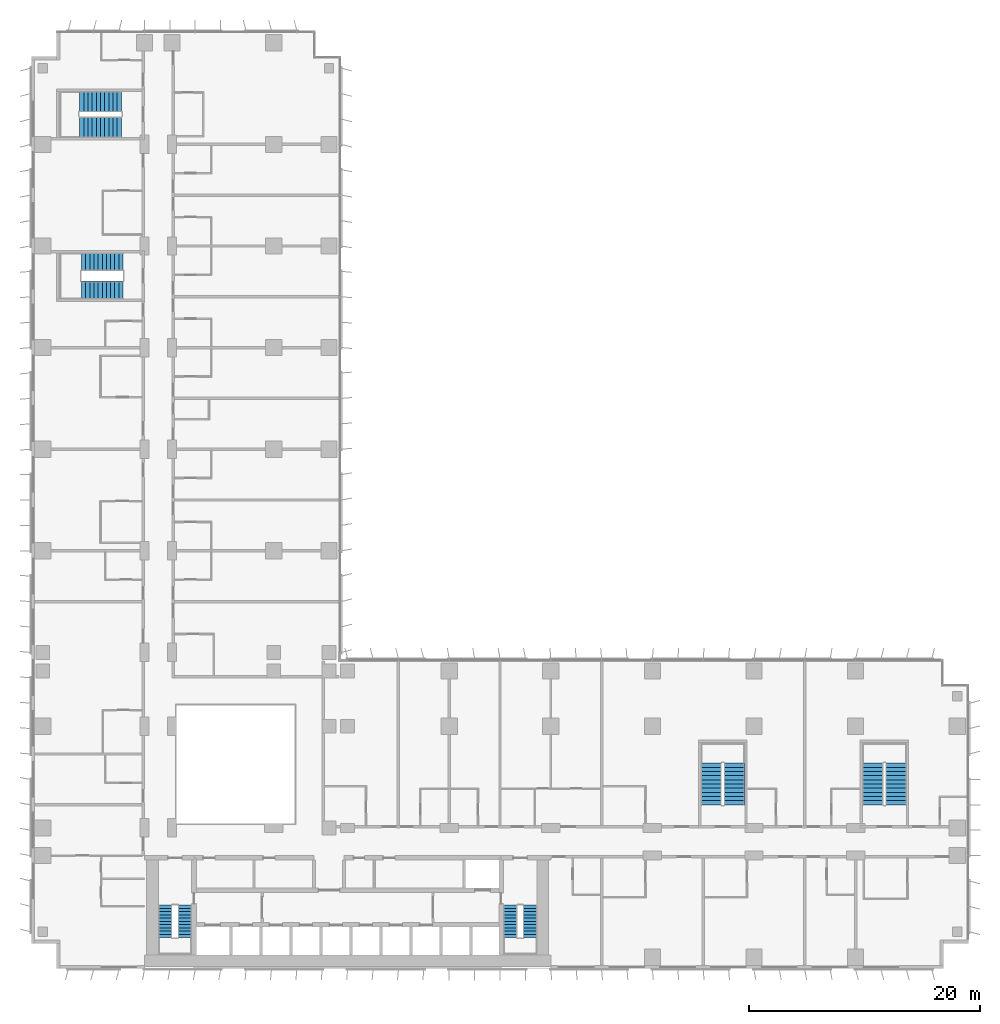
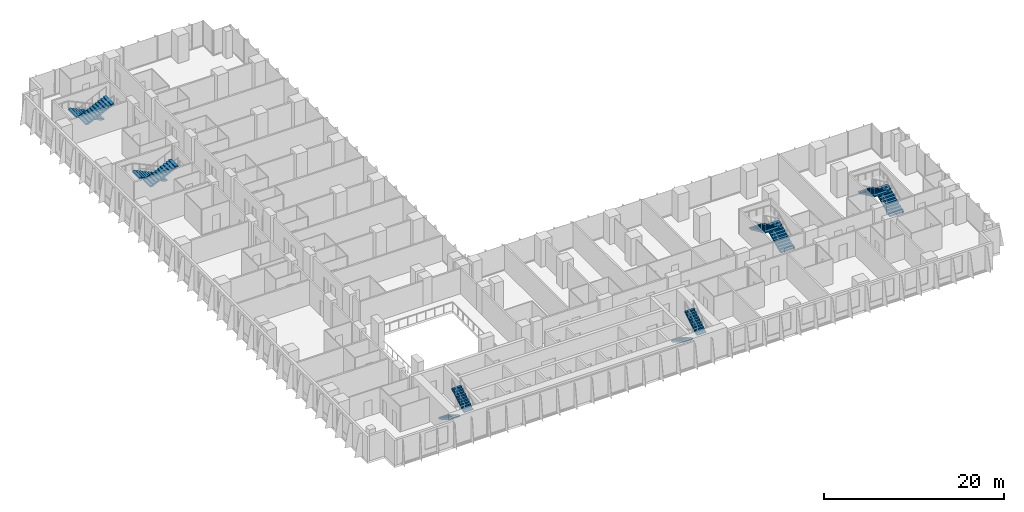
# One storey, part 20 of 24: 12 stair flights, 6 elements without a shape of their own.
"""IFC4 building model written with IfcOpenShell, lengths in metres."""

from ifc_helpers import new_model, si_unit, direction, frame, origin, place, context, subcontext, project, spatial, polyline, outline, extrude, material, type_object, element, aggregate, save


model = new_model("IFC4")

# Units and contexts
model_context = context("Model", 3, precision=1e-05, world=origin(), true_north=direction((0.0, 1.0)))
body_context = subcontext(model_context, "Body", "Model", "MODEL_VIEW")
ifc_project = project(units=[si_unit("LENGTHUNIT", "METRE"), si_unit("AREAUNIT", "SQUARE_METRE"), si_unit("VOLUMEUNIT", "CUBIC_METRE"), si_unit("PLANEANGLEUNIT", "RADIAN"), si_unit("MASSUNIT", "GRAM", prefix="KILO")], contexts=[model_context])

# Site, building, storey
site_placement = place(None, origin())
site = spatial("IfcSite", under=ifc_project, at=site_placement, CompositionType="ELEMENT")
building_placement = place(site_placement, origin())
building = spatial("IfcBuilding", under=site, at=building_placement, Name="Kemantara Hotel Tower", CompositionType="ELEMENT")
storey_placement = place(building_placement, frame((0.0, 0.0, 59.89990234375)))
storey = spatial("IfcBuildingStorey", under=building, at=storey_placement, Name="L13", CompositionType="ELEMENT", Elevation=59.89990234375)

# Stair, stair flights
ifc_material = material(Name="Concrete fc 40 MPa", Category="concrete")
stair_type_1 = type_object("IfcStairType", Name="Stair 1200 wide 22 risers of 168 x 280 mm", PredefinedType="HALF_TURN_STAIR", material=ifc_material)
stair_1_placement = place(storey_placement, origin())
stair_1 = element("IfcStair", 1, at=stair_1_placement, inside=storey, type_object=stair_type_1, Name="L13 Exit stair ST1", PredefinedType="HALF_TURN_STAIR")
stair_flight_type_1 = type_object("IfcStairFlightType", Name="Stair flight 1200 wide 168 x 280 mm", PredefinedType="STRAIGHT", material=ifc_material)
stair_flight_1_placement = place(storey_placement, frame((11.60009765625, 5.5, 0.0), z_axis=(0.0, 0.0, 1.0), x_axis=(0.0, -1.0, 0.0)))
stair_flight_1 = element("IfcStairFlight", 2, at=stair_flight_1_placement, type_object=stair_flight_type_1, Name="ST1 flight 1", NumberOfRisers=11, NumberOfTreads=10, PredefinedType="STRAIGHT", RiserHeight=0.168181818, TreadLength=0.28, context=body_context, shape_type="SweptSolid", body=[
    extrude(outline(polyline([(0.0, 0.0), (0.0, 0.168212890625), (0.280029296875, 0.168212890625), (0.280029296875, 0.33642578125), (0.56005859375, 0.33642578125), (0.56005859375, 0.504638671875), (0.840087890625, 0.504638671875), (0.840087890625, 0.672607421875), (1.1201171875, 0.672607421875), (1.1201171875, 0.8408203125), (1.39990234375, 0.8408203125), (1.39990234375, 1.009033203125), (1.679931640625, 1.009033203125), (1.679931640625, 1.17724609375), (1.9599609375, 1.17724609375), (1.9599609375, 1.345458984375), (2.239990234375, 1.345458984375), (2.239990234375, 1.513671875), (2.52001953125, 1.513671875), (2.52001953125, 1.681884765625), (2.800048828125, 1.681884765625), (2.800048828125, 1.85009765625), (2.800048828125, 1.5068359375), (0.291015625, 0.0), (0.0, 0.0)])), frame((0.0, 0.60009765625, 0.0), z_axis=(0.0, -1.0, 0.0), x_axis=(1.0, 0.0, 0.0)), (0.0, 0.0, 1.0), 1.199951171875),
])
stair_flight_2_placement = place(storey_placement, frame((13.300048828125, 2.699951171875, 1.85009765625), z_axis=(0.0, 0.0, 1.0), x_axis=(0.0, 1.0, 0.0)))
stair_flight_2 = element("IfcStairFlight", 3, at=stair_flight_2_placement, type_object=stair_flight_type_1, Name="ST1 flight 2", NumberOfRisers=11, NumberOfTreads=10, PredefinedType="STRAIGHT", RiserHeight=0.168181818, TreadLength=0.28, context=body_context, shape_type="SweptSolid", body=[
    extrude(outline(polyline([(0.0, 0.0), (0.0, 0.168212890625), (0.280029296875, 0.168212890625), (0.280029296875, 0.33642578125), (0.56005859375, 0.33642578125), (0.56005859375, 0.504638671875), (0.840087890625, 0.504638671875), (0.840087890625, 0.672607421875), (1.1201171875, 0.672607421875), (1.1201171875, 0.8408203125), (1.39990234375, 0.8408203125), (1.39990234375, 1.009033203125), (1.679931640625, 1.009033203125), (1.679931640625, 1.17724609375), (1.9599609375, 1.17724609375), (1.9599609375, 1.345458984375), (2.239990234375, 1.345458984375), (2.239990234375, 1.513671875), (2.52001953125, 1.513671875), (2.52001953125, 1.681884765625), (2.800048828125, 1.681884765625), (2.800048828125, 1.85009765625), (2.800048828125, 1.5068359375), (0.291015625, 0.0), (0.0, 0.0)])), frame((0.0, 0.60009765625, 0.0), z_axis=(0.0, -1.0, 0.0), x_axis=(1.0, 0.0, 0.0)), (0.0, 0.0, 1.0), 1.199951171875),
])
aggregate(stair_1, [stair_flight_1, stair_flight_2])

stair_2_placement = place(storey_placement, origin())
stair_2 = element("IfcStair", 4, at=stair_2_placement, inside=storey, type_object=stair_type_1, Name="L13 Exit stair ST2", PredefinedType="HALF_TURN_STAIR")
stair_flight_3_placement = place(storey_placement, frame((41.5, 5.5, 0.0), z_axis=(0.0, 0.0, 1.0), x_axis=(0.0, -1.0, 0.0)))
stair_flight_3 = element("IfcStairFlight", 5, at=stair_flight_3_placement, type_object=stair_flight_type_1, Name="ST2 flight 1", NumberOfRisers=11, NumberOfTreads=10, PredefinedType="STRAIGHT", RiserHeight=0.168181818, TreadLength=0.28, context=body_context, shape_type="SweptSolid", body=[
    extrude(outline(polyline([(0.0, 0.0), (0.0, 0.168212890625), (0.280029296875, 0.168212890625), (0.280029296875, 0.33642578125), (0.56005859375, 0.33642578125), (0.56005859375, 0.504638671875), (0.840087890625, 0.504638671875), (0.840087890625, 0.672607421875), (1.1201171875, 0.672607421875), (1.1201171875, 0.8408203125), (1.39990234375, 0.8408203125), (1.39990234375, 1.009033203125), (1.679931640625, 1.009033203125), (1.679931640625, 1.17724609375), (1.9599609375, 1.17724609375), (1.9599609375, 1.345458984375), (2.239990234375, 1.345458984375), (2.239990234375, 1.513671875), (2.52001953125, 1.513671875), (2.52001953125, 1.681884765625), (2.800048828125, 1.681884765625), (2.800048828125, 1.85009765625), (2.800048828125, 1.5068359375), (0.291015625, 0.0), (0.0, 0.0)])), frame((0.0, 0.60009765625, 0.0), z_axis=(0.0, -1.0, 0.0), x_axis=(1.0, 0.0, 0.0)), (0.0, 0.0, 1.0), 1.199951171875),
])
stair_flight_4_placement = place(storey_placement, frame((43.199951171875, 2.699951171875, 1.85009765625), z_axis=(0.0, 0.0, 1.0), x_axis=(0.0, 1.0, 0.0)))
stair_flight_4 = element("IfcStairFlight", 6, at=stair_flight_4_placement, type_object=stair_flight_type_1, Name="ST2 flight 2", NumberOfRisers=11, NumberOfTreads=10, PredefinedType="STRAIGHT", RiserHeight=0.168181818, TreadLength=0.28, context=body_context, shape_type="SweptSolid", body=[
    extrude(outline(polyline([(0.0, 0.0), (0.0, 0.168212890625), (0.280029296875, 0.168212890625), (0.280029296875, 0.33642578125), (0.56005859375, 0.33642578125), (0.56005859375, 0.504638671875), (0.840087890625, 0.504638671875), (0.840087890625, 0.672607421875), (1.1201171875, 0.672607421875), (1.1201171875, 0.8408203125), (1.39990234375, 0.8408203125), (1.39990234375, 1.009033203125), (1.679931640625, 1.009033203125), (1.679931640625, 1.17724609375), (1.9599609375, 1.17724609375), (1.9599609375, 1.345458984375), (2.239990234375, 1.345458984375), (2.239990234375, 1.513671875), (2.52001953125, 1.513671875), (2.52001953125, 1.681884765625), (2.800048828125, 1.681884765625), (2.800048828125, 1.85009765625), (2.800048828125, 1.5068359375), (0.291015625, 0.0), (0.0, 0.0)])), frame((0.0, 0.60009765625, 0.0), z_axis=(0.0, -1.0, 0.0), x_axis=(1.0, 0.0, 0.0)), (0.0, 0.0, 1.0), 1.199951171875),
])
aggregate(stair_2, [stair_flight_3, stair_flight_4])

stair_type_2 = type_object("IfcStairType", Name="Stair 1550 wide 22 risers of 168 x 360 mm", PredefinedType="HALF_TURN_STAIR", material=ifc_material)
stair_3_placement = place(storey_placement, origin())
stair_3 = element("IfcStair", 7, at=stair_3_placement, inside=storey, type_object=stair_type_2, Name="L13 Exit stair ST4", PredefinedType="HALF_TURN_STAIR")
stair_flight_type_2 = type_object("IfcStairFlightType", Name="Stair flight 1550 wide 168 x 360 mm", PredefinedType="STRAIGHT", material=ifc_material)
stair_flight_5_placement = place(storey_placement, frame((7.949951171875, 61.22509765625, 0.0), z_axis=(0.0, 0.0, 1.0), x_axis=(-1.0, 0.0, 0.0)))
stair_flight_5 = element("IfcStairFlight", 8, at=stair_flight_5_placement, type_object=stair_flight_type_2, Name="ST4 flight 1", NumberOfRisers=11, NumberOfTreads=10, PredefinedType="STRAIGHT", RiserHeight=0.168181818, TreadLength=0.36, context=body_context, shape_type="SweptSolid", body=[
    extrude(outline(polyline([(0.0, 0.0), (0.0, 0.168212890625), (0.360107421875, 0.168212890625), (0.360107421875, 0.33642578125), (0.719970703125, 0.33642578125), (0.719970703125, 0.504638671875), (1.080078125, 0.504638671875), (1.080078125, 0.672607421875), (1.43994140625, 0.672607421875), (1.43994140625, 0.8408203125), (1.800048828125, 0.8408203125), (1.800048828125, 1.009033203125), (2.159912109375, 1.009033203125), (2.159912109375, 1.17724609375), (2.52001953125, 1.17724609375), (2.52001953125, 1.345458984375), (2.8798828125, 1.345458984375), (2.8798828125, 1.513671875), (3.239990234375, 1.513671875), (3.239990234375, 1.681884765625), (3.60009765625, 1.681884765625), (3.60009765625, 1.85009765625), (3.60009765625, 1.516357421875), (0.354248046875, 0.0), (0.0, 0.0)])), frame((0.0, 0.77490234375, 0.0), z_axis=(0.0, -1.0, 0.0), x_axis=(1.0, 0.0, 0.0)), (0.0, 0.0, 1.0), 1.550048828125),
])
stair_flight_6_placement = place(storey_placement, frame((4.35009765625, 58.77490234375, 1.85009765625), z_axis=(0.0, 0.0, 1.0), x_axis=(1.0, 0.0, 0.0)))
stair_flight_6 = element("IfcStairFlight", 9, at=stair_flight_6_placement, type_object=stair_flight_type_2, Name="ST4 flight 2", NumberOfRisers=11, NumberOfTreads=10, PredefinedType="STRAIGHT", RiserHeight=0.168181818, TreadLength=0.36, context=body_context, shape_type="SweptSolid", body=[
    extrude(outline(polyline([(0.0, 0.0), (0.0, 0.168212890625), (0.360107421875, 0.168212890625), (0.360107421875, 0.33642578125), (0.719970703125, 0.33642578125), (0.719970703125, 0.504638671875), (1.080078125, 0.504638671875), (1.080078125, 0.672607421875), (1.43994140625, 0.672607421875), (1.43994140625, 0.8408203125), (1.800048828125, 0.8408203125), (1.800048828125, 1.009033203125), (2.159912109375, 1.009033203125), (2.159912109375, 1.17724609375), (2.52001953125, 1.17724609375), (2.52001953125, 1.345458984375), (2.8798828125, 1.345458984375), (2.8798828125, 1.513671875), (3.239990234375, 1.513671875), (3.239990234375, 1.681884765625), (3.60009765625, 1.681884765625), (3.60009765625, 1.85009765625), (3.60009765625, 1.516357421875), (0.354248046875, 0.0), (0.0, 0.0)])), frame((0.0, 0.77490234375, 0.0), z_axis=(0.0, -1.0, 0.0), x_axis=(1.0, 0.0, 0.0)), (0.0, 0.0, 1.0), 1.550048828125),
])
aggregate(stair_3, [stair_flight_5, stair_flight_6])

stair_type_3 = type_object("IfcStairType", Name="Stair 1800 wide 22 risers of 168 x 360 mm", PredefinedType="HALF_TURN_STAIR", material=ifc_material)
stair_4_placement = place(storey_placement, origin())
stair_4 = element("IfcStair", 10, at=stair_4_placement, inside=storey, type_object=stair_type_3, Name="L13 Exit stair ST3", PredefinedType="HALF_TURN_STAIR")
stair_flight_type_3 = type_object("IfcStairFlightType", Name="Stair flight 1800 wide 168 x 360 mm", PredefinedType="STRAIGHT", material=ifc_material)
stair_flight_7_placement = place(storey_placement, frame((60.89990234375, 14.199951171875, 0.0), z_axis=(0.0, 0.0, 1.0), x_axis=(0.0, 1.0, 0.0)))
stair_flight_7 = element("IfcStairFlight", 11, at=stair_flight_7_placement, type_object=stair_flight_type_3, Name="ST3 flight 1", NumberOfRisers=11, NumberOfTreads=10, PredefinedType="STRAIGHT", RiserHeight=0.168181818, TreadLength=0.36, context=body_context, shape_type="SweptSolid", body=[
    extrude(outline(polyline([(0.0, 0.0), (0.0, 0.168212890625), (0.360107421875, 0.168212890625), (0.360107421875, 0.33642578125), (0.719970703125, 0.33642578125), (0.719970703125, 0.504638671875), (1.080078125, 0.504638671875), (1.080078125, 0.672607421875), (1.43994140625, 0.672607421875), (1.43994140625, 0.8408203125), (1.800048828125, 0.8408203125), (1.800048828125, 1.009033203125), (2.159912109375, 1.009033203125), (2.159912109375, 1.17724609375), (2.52001953125, 1.17724609375), (2.52001953125, 1.345458984375), (2.8798828125, 1.345458984375), (2.8798828125, 1.513671875), (3.239990234375, 1.513671875), (3.239990234375, 1.681884765625), (3.60009765625, 1.681884765625), (3.60009765625, 1.85009765625), (3.60009765625, 1.516357421875), (0.354248046875, 0.0), (0.0, 0.0)])), frame((0.0, 0.89990234375, 0.0), z_axis=(0.0, -1.0, 0.0), x_axis=(1.0, 0.0, 0.0)), (0.0, 0.0, 1.0), 1.800048828125),
])
stair_flight_8_placement = place(storey_placement, frame((58.89990234375, 17.800048828125, 1.85009765625), z_axis=(0.0, 0.0, 1.0), x_axis=(0.0, -1.0, 0.0)))
stair_flight_8 = element("IfcStairFlight", 12, at=stair_flight_8_placement, type_object=stair_flight_type_3, Name="ST3 flight 2", NumberOfRisers=11, NumberOfTreads=10, PredefinedType="STRAIGHT", RiserHeight=0.168181818, TreadLength=0.36, context=body_context, shape_type="SweptSolid", body=[
    extrude(outline(polyline([(0.0, 0.0), (0.0, 0.168212890625), (0.360107421875, 0.168212890625), (0.360107421875, 0.33642578125), (0.719970703125, 0.33642578125), (0.719970703125, 0.504638671875), (1.080078125, 0.504638671875), (1.080078125, 0.672607421875), (1.43994140625, 0.672607421875), (1.43994140625, 0.8408203125), (1.800048828125, 0.8408203125), (1.800048828125, 1.009033203125), (2.159912109375, 1.009033203125), (2.159912109375, 1.17724609375), (2.52001953125, 1.17724609375), (2.52001953125, 1.345458984375), (2.8798828125, 1.345458984375), (2.8798828125, 1.513671875), (3.239990234375, 1.513671875), (3.239990234375, 1.681884765625), (3.60009765625, 1.681884765625), (3.60009765625, 1.85009765625), (3.60009765625, 1.516357421875), (0.354248046875, 0.0), (0.0, 0.0)])), frame((0.0, 0.89990234375, 0.0), z_axis=(0.0, -1.0, 0.0), x_axis=(1.0, 0.0, 0.0)), (0.0, 0.0, 1.0), 1.800048828125),
])
aggregate(stair_4, [stair_flight_7, stair_flight_8])

stair_5_placement = place(storey_placement, origin())
stair_5 = element("IfcStair", 13, at=stair_5_placement, inside=storey, type_object=stair_type_3, Name="L13 Exit stair ST5", PredefinedType="HALF_TURN_STAIR")
stair_flight_9_placement = place(storey_placement, frame((74.89990234375, 14.199951171875, 0.0), z_axis=(0.0, 0.0, 1.0), x_axis=(0.0, 1.0, 0.0)))
stair_flight_9 = element("IfcStairFlight", 14, at=stair_flight_9_placement, type_object=stair_flight_type_3, Name="ST5 flight 1", NumberOfRisers=11, NumberOfTreads=10, PredefinedType="STRAIGHT", RiserHeight=0.168181818, TreadLength=0.36, context=body_context, shape_type="SweptSolid", body=[
    extrude(outline(polyline([(0.0, 0.0), (0.0, 0.168212890625), (0.360107421875, 0.168212890625), (0.360107421875, 0.33642578125), (0.719970703125, 0.33642578125), (0.719970703125, 0.504638671875), (1.080078125, 0.504638671875), (1.080078125, 0.672607421875), (1.43994140625, 0.672607421875), (1.43994140625, 0.8408203125), (1.800048828125, 0.8408203125), (1.800048828125, 1.009033203125), (2.159912109375, 1.009033203125), (2.159912109375, 1.17724609375), (2.52001953125, 1.17724609375), (2.52001953125, 1.345458984375), (2.8798828125, 1.345458984375), (2.8798828125, 1.513671875), (3.239990234375, 1.513671875), (3.239990234375, 1.681884765625), (3.60009765625, 1.681884765625), (3.60009765625, 1.85009765625), (3.60009765625, 1.516357421875), (0.354248046875, 0.0), (0.0, 0.0)])), frame((0.0, 0.89990234375, 0.0), z_axis=(0.0, -1.0, 0.0), x_axis=(1.0, 0.0, 0.0)), (0.0, 0.0, 1.0), 1.800048828125),
])
stair_flight_10_placement = place(storey_placement, frame((72.89990234375, 17.800048828125, 1.85009765625), z_axis=(0.0, 0.0, 1.0), x_axis=(0.0, -1.0, 0.0)))
stair_flight_10 = element("IfcStairFlight", 15, at=stair_flight_10_placement, type_object=stair_flight_type_3, Name="ST5 flight 2", NumberOfRisers=11, NumberOfTreads=10, PredefinedType="STRAIGHT", RiserHeight=0.168181818, TreadLength=0.36, context=body_context, shape_type="SweptSolid", body=[
    extrude(outline(polyline([(0.0, 0.0), (0.0, 0.168212890625), (0.360107421875, 0.168212890625), (0.360107421875, 0.33642578125), (0.719970703125, 0.33642578125), (0.719970703125, 0.504638671875), (1.080078125, 0.504638671875), (1.080078125, 0.672607421875), (1.43994140625, 0.672607421875), (1.43994140625, 0.8408203125), (1.800048828125, 0.8408203125), (1.800048828125, 1.009033203125), (2.159912109375, 1.009033203125), (2.159912109375, 1.17724609375), (2.52001953125, 1.17724609375), (2.52001953125, 1.345458984375), (2.8798828125, 1.345458984375), (2.8798828125, 1.513671875), (3.239990234375, 1.513671875), (3.239990234375, 1.681884765625), (3.60009765625, 1.681884765625), (3.60009765625, 1.85009765625), (3.60009765625, 1.516357421875), (0.354248046875, 0.0), (0.0, 0.0)])), frame((0.0, 0.89990234375, 0.0), z_axis=(0.0, -1.0, 0.0), x_axis=(1.0, 0.0, 0.0)), (0.0, 0.0, 1.0), 1.800048828125),
])
aggregate(stair_5, [stair_flight_9, stair_flight_10])

stair_6_placement = place(storey_placement, origin())
stair_6 = element("IfcStair", 16, at=stair_6_placement, inside=storey, type_object=stair_type_3, Name="L13 Exit stair ST6", PredefinedType="HALF_TURN_STAIR")
stair_flight_11_placement = place(storey_placement, frame((7.800048828125, 75.10009765625, 0.0), z_axis=(0.0, 0.0, 1.0), x_axis=(-1.0, 0.0, 0.0)))
stair_flight_11 = element("IfcStairFlight", 17, at=stair_flight_11_placement, type_object=stair_flight_type_3, Name="ST6 flight 1", NumberOfRisers=11, NumberOfTreads=10, PredefinedType="STRAIGHT", RiserHeight=0.168181818, TreadLength=0.36, context=body_context, shape_type="SweptSolid", body=[
    extrude(outline(polyline([(0.0, 0.0), (0.0, 0.168212890625), (0.360107421875, 0.168212890625), (0.360107421875, 0.33642578125), (0.719970703125, 0.33642578125), (0.719970703125, 0.504638671875), (1.080078125, 0.504638671875), (1.080078125, 0.672607421875), (1.43994140625, 0.672607421875), (1.43994140625, 0.8408203125), (1.800048828125, 0.8408203125), (1.800048828125, 1.009033203125), (2.159912109375, 1.009033203125), (2.159912109375, 1.17724609375), (2.52001953125, 1.17724609375), (2.52001953125, 1.345458984375), (2.8798828125, 1.345458984375), (2.8798828125, 1.513671875), (3.239990234375, 1.513671875), (3.239990234375, 1.681884765625), (3.60009765625, 1.681884765625), (3.60009765625, 1.85009765625), (3.60009765625, 1.516357421875), (0.354248046875, 0.0), (0.0, 0.0)])), frame((0.0, 0.89990234375, 0.0), z_axis=(0.0, -1.0, 0.0), x_axis=(1.0, 0.0, 0.0)), (0.0, 0.0, 1.0), 1.800048828125),
])
stair_flight_12_placement = place(storey_placement, frame((4.199951171875, 72.89990234375, 1.85009765625), z_axis=(0.0, 0.0, 1.0), x_axis=(1.0, 0.0, 0.0)))
stair_flight_12 = element("IfcStairFlight", 18, at=stair_flight_12_placement, type_object=stair_flight_type_3, Name="ST6 flight 2", NumberOfRisers=11, NumberOfTreads=10, PredefinedType="STRAIGHT", RiserHeight=0.168181818, TreadLength=0.36, context=body_context, shape_type="SweptSolid", body=[
    extrude(outline(polyline([(0.0, 0.0), (0.0, 0.168212890625), (0.360107421875, 0.168212890625), (0.360107421875, 0.33642578125), (0.719970703125, 0.33642578125), (0.719970703125, 0.504638671875), (1.080078125, 0.504638671875), (1.080078125, 0.672607421875), (1.43994140625, 0.672607421875), (1.43994140625, 0.8408203125), (1.800048828125, 0.8408203125), (1.800048828125, 1.009033203125), (2.159912109375, 1.009033203125), (2.159912109375, 1.17724609375), (2.52001953125, 1.17724609375), (2.52001953125, 1.345458984375), (2.8798828125, 1.345458984375), (2.8798828125, 1.513671875), (3.239990234375, 1.513671875), (3.239990234375, 1.681884765625), (3.60009765625, 1.681884765625), (3.60009765625, 1.85009765625), (3.60009765625, 1.516357421875), (0.354248046875, 0.0), (0.0, 0.0)])), frame((0.0, 0.89990234375, 0.0), z_axis=(0.0, -1.0, 0.0), x_axis=(1.0, 0.0, 0.0)), (0.0, 0.0, 1.0), 1.800048828125),
])
aggregate(stair_6, [stair_flight_11, stair_flight_12])

save(model, "model.ifc")
